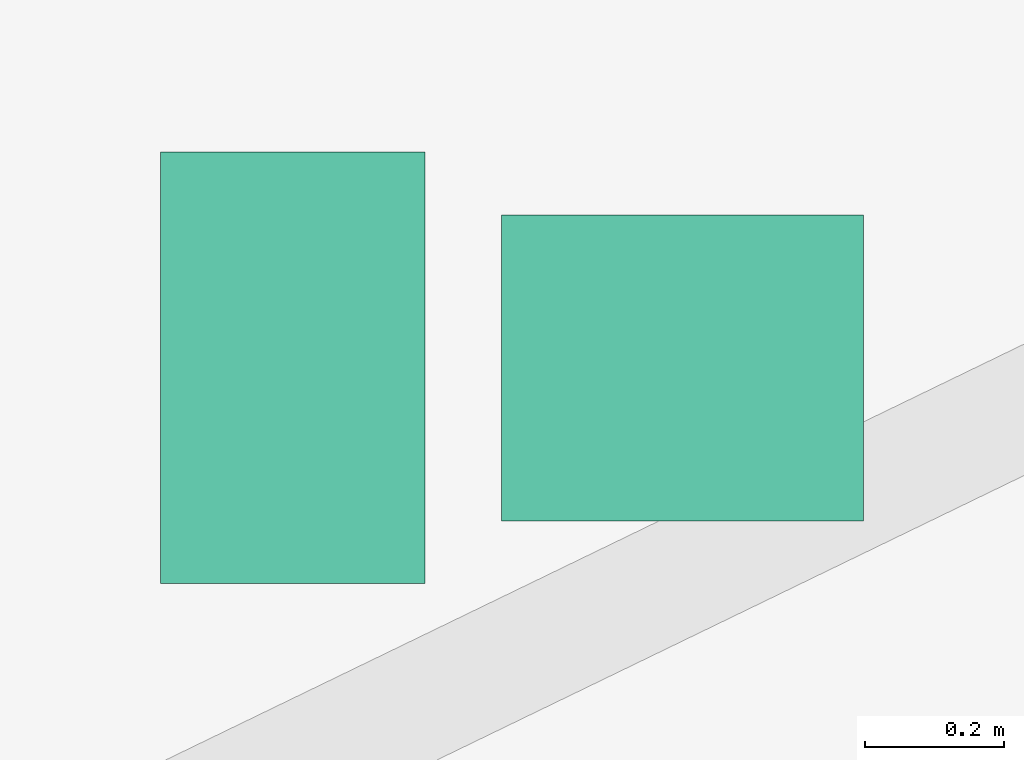
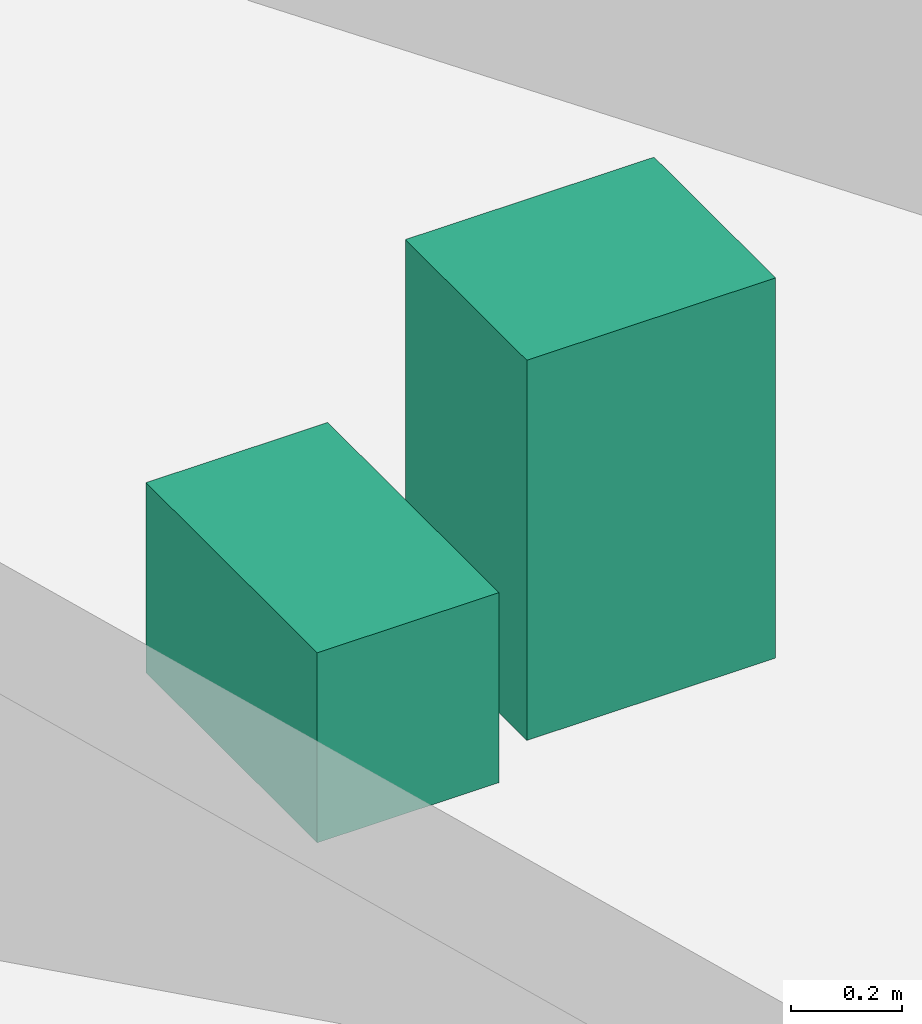
# One storey, part 11 of 11: 2 sanitary terminals.
"""IFC4 building model written with IfcOpenShell, lengths in metres."""

import ifcopenshell
import ifcopenshell.guid

model = None  # the IFC model being written
_history = None  # IfcOwnerHistory: only IFC2X3 demands one
_inside = {}  # id of a spatial element -> (the spatial element, [elements in it])
_under = {}  # id of a project, library or spatial element -> (it, [spatial elements below it])
_declared = {}  # id of a project -> (the project, [libraries it declares])
_typed = {}  # id of a type object -> (the type object, [elements of that type])
_made_of = {}  # id of a material, layer set ... -> (it, [elements and type objects made of it])


def new_model(schema):
    """Start an empty IFC model of exactly this schema.

    Asked for "IFC4X3", IfcOpenShell would pick the latest addendum, in which some entities
    have other attributes; the version numbers below select the first issue.
    IFC2X3 requires an IfcOwnerHistory on every rooted entity: one is made here for all.
    """
    global model, _history
    if schema == "IFC4X3":
        model = ifcopenshell.file(schema_version=(4, 3, 0, 0))
    else:
        model = ifcopenshell.file(schema=schema)
    _inside.clear()
    _under.clear()
    _declared.clear()
    _typed.clear()
    _made_of.clear()
    _history = None
    if model.schema == "IFC2X3":
        org = make("IfcOrganization", Name="unknown")
        user = make(
            "IfcPersonAndOrganization",
            ThePerson=make("IfcPerson", FamilyName="unknown"),
            TheOrganization=org,
        )
        app = make(
            "IfcApplication",
            ApplicationDeveloper=org,
            Version="unknown",
            ApplicationFullName="unknown",
            ApplicationIdentifier="unknown",
        )
        _history = make(
            "IfcOwnerHistory",
            OwningUser=user,
            OwningApplication=app,
            ChangeAction="ADDED",
            CreationDate=0,
        )
    return model


def make(cls, **values):
    """One entity of the class cls with the attributes given. An attribute that is None is left unset."""
    return model.create_entity(
        cls, **{name: value for name, value in values.items() if value is not None}
    )


def rooted(cls, **values):
    """An entity with a GlobalId (a new one), such as an element, a storey or a relation."""
    return make(cls, GlobalId=ifcopenshell.guid.new(), OwnerHistory=_history, **values)


def si_unit(unit_type, name, prefix=None):
    """IfcSIUnit, for example si_unit("LENGTHUNIT", "METRE", prefix="MILLI")."""
    return make("IfcSIUnit", UnitType=unit_type, Prefix=prefix, Name=name)


def assignment(units):
    """IfcUnitAssignment: the units of a project."""
    return None if units is None else make("IfcUnitAssignment", Units=units)


def point(xyz):
    """IfcCartesianPoint."""
    return None if xyz is None else make("IfcCartesianPoint", Coordinates=xyz)


def direction(xyz):
    """IfcDirection."""
    return None if xyz is None else make("IfcDirection", DirectionRatios=xyz)


def frame(location, z_axis=None, x_axis=None):
    """IfcAxis2Placement3D, a coordinate frame: its origin and axes. An axis left out is left unset."""
    return make(
        "IfcAxis2Placement3D",
        Location=point(location),
        Axis=direction(z_axis),
        RefDirection=direction(x_axis),
    )


def frame_2d(location, x_axis=None):
    """IfcAxis2Placement2D, a coordinate frame in the plane: its origin and x axis."""
    return make(
        "IfcAxis2Placement2D", Location=point(location), RefDirection=direction(x_axis)
    )


def origin():
    """The frame at (0, 0, 0) with its axes left unset."""
    return frame((0.0, 0.0, 0.0))


def origin_2d():
    """The frame at (0, 0) in the plane with its x axis left unset."""
    return frame_2d((0.0, 0.0))


def place(relative_to, where):
    """IfcLocalPlacement: puts the frame where relative to a parent placement (None: the world)."""
    return make(
        "IfcLocalPlacement", PlacementRelTo=relative_to, RelativePlacement=where
    )


def context(
    kind, dimensions, precision=None, world=None, true_north=None, identifier=None
):
    """IfcGeometricRepresentationContext, for example the 3D "Model" context."""
    return make(
        "IfcGeometricRepresentationContext",
        ContextIdentifier=identifier,
        ContextType=kind,
        CoordinateSpaceDimension=dimensions,
        Precision=precision,
        WorldCoordinateSystem=world,
        TrueNorth=true_north,
    )


def subcontext(parent, identifier, kind, view, scale=None):
    """IfcGeometricRepresentationSubContext, for example "Body" below "Model"."""
    return make(
        "IfcGeometricRepresentationSubContext",
        ContextIdentifier=identifier,
        ContextType=kind,
        ParentContext=parent,
        TargetScale=scale,
        TargetView=view,
    )


def project(units=None, contexts=None):
    """IfcProject with its units and contexts."""
    return rooted(
        "IfcProject",
        Name="project",
        RepresentationContexts=contexts,
        UnitsInContext=assignment(units),
    )


def spatial(cls, under=None, at=None, **own):
    """A site, building, storey or space (cls), placed at a placement, below another one or the project."""
    s = rooted(cls, ObjectPlacement=at, **own)
    if under is not None:
        _under.setdefault(under.id(), (under, []))[1].append(s)
    return s


def profile(cls, at=None, kind="AREA", **sizes):
    """A parametric profile (cls). Its sizes go by their IFC names, for example OverallWidth=200.0."""
    return make(cls, ProfileType=kind, Position=at, **sizes)


def rectangle(**sizes):
    """IfcRectangleProfileDef."""
    return profile("IfcRectangleProfileDef", **sizes)


def extrude(swept, where, along, depth):
    """IfcExtrudedAreaSolid: the profile swept, set in the frame where, extruded along a direction by depth."""
    return make(
        "IfcExtrudedAreaSolid",
        SweptArea=swept,
        Position=where,
        ExtrudedDirection=direction(along),
        Depth=depth,
    )


def shape(context_of_items, identifier, shape_type, items):
    """IfcShapeRepresentation: the items that make up one representation, for example the "Body"."""
    return make(
        "IfcShapeRepresentation",
        ContextOfItems=context_of_items,
        RepresentationIdentifier=identifier,
        RepresentationType=shape_type,
        Items=items,
    )


def source(mapping_origin, context_of_items, identifier, shape_type, items):
    """IfcRepresentationMap: a shape defined once, which mapped items show again and again."""
    return make(
        "IfcRepresentationMap",
        MappingOrigin=mapping_origin,
        MappedRepresentation=shape(context_of_items, identifier, shape_type, items),
    )


def transform(
    local_origin,
    x_axis=None,
    y_axis=None,
    z_axis=None,
    scale=None,
    scale2=None,
    scale3=None,
    uniform=True,
):
    """IfcCartesianTransformationOperator3D, or its non-uniform kind. x_axis, y_axis, z_axis: its Axis1, 2, 3."""
    if uniform:
        return make(
            "IfcCartesianTransformationOperator3D",
            Axis1=direction(x_axis),
            Axis2=direction(y_axis),
            LocalOrigin=point(local_origin),
            Scale=scale,
            Axis3=direction(z_axis),
        )
    return make(
        "IfcCartesianTransformationOperator3DnonUniform",
        Axis1=direction(x_axis),
        Axis2=direction(y_axis),
        LocalOrigin=point(local_origin),
        Scale=scale,
        Axis3=direction(z_axis),
        Scale2=scale2,
        Scale3=scale3,
    )


def mapped(mapping_source, mapping_target):
    """IfcMappedItem: shows the shape of a source again, moved by a transform."""
    return make(
        "IfcMappedItem", MappingSource=mapping_source, MappingTarget=mapping_target
    )


def material(Name=None, Category=None):
    """IfcMaterial."""
    return make("IfcMaterial", Name=Name, Category=Category)


def made_of(thing, what):
    """Note that an element or type object is made of a material, layer set ...; save() writes the relation."""
    if what is not None:
        _made_of.setdefault(what.id(), (what, []))[1].append(thing)
    return thing


def type_object(cls, material=None, **own):
    """A type object (cls), such as IfcWallType, which elements share."""
    return made_of(rooted(cls, **own), material)


def element(
    cls,
    number,
    at=None,
    inside=None,
    cuts=None,
    type_object=None,
    material=None,
    context=None,
    identifier="Body",
    shape_type=None,
    held_by="IfcProductDefinitionShape",
    body=None,
    shapes=None,
    **own,
):
    """One element of the class cls, such as IfcWall. Its Tag is "e" and its number.

    at: its placement. inside: the storey or other place that contains it. cuts: it is an
    opening in that element (IfcRelVoidsElement). A single representation is given by context,
    identifier, shape_type and body (its items); several are given by shapes. held_by: the class
    of the entity that holds the representations. save() writes the other relations.
    """
    e = rooted(cls, Tag="e%d" % number, ObjectPlacement=at, **own)
    if body is not None:
        shapes = [shape(context, identifier, shape_type, body)]
    if shapes is not None:
        e.Representation = make(held_by, Representations=shapes)
    if inside is not None:
        _inside.setdefault(inside.id(), (inside, []))[1].append(e)
    if cuts is not None:
        rooted(
            "IfcRelVoidsElement", RelatingBuildingElement=cuts, RelatedOpeningElement=e
        )
    if type_object is not None:
        _typed.setdefault(type_object.id(), (type_object, []))[1].append(e)
    return made_of(e, material)


def aggregate(whole, parts):
    """IfcRelAggregates: a whole, such as a stair, and the parts it consists of."""
    return rooted("IfcRelAggregates", RelatingObject=whole, RelatedObjects=parts)


def save(model, path):
    """Write the relations noted so far, then the file.

    IfcRelAggregates (storeys below a building ...), IfcRelContainedInSpatialStructure (elements
    in a storey), IfcRelDefinesByType, IfcRelAssociatesMaterial and IfcRelDeclares: one each for
    every whole, place, type object, material and project.
    """
    for whole, parts in _under.values():
        aggregate(whole, parts)
    for where, things in _inside.values():
        rooted(
            "IfcRelContainedInSpatialStructure",
            RelatedElements=things,
            RelatingStructure=where,
        )
    for kind, things in _typed.values():
        rooted("IfcRelDefinesByType", RelatedObjects=things, RelatingType=kind)
    for what, things in _made_of.values():
        rooted("IfcRelAssociatesMaterial", RelatedObjects=things, RelatingMaterial=what)
    for by, libraries in _declared.values():
        rooted("IfcRelDeclares", RelatingContext=by, RelatedDefinitions=libraries)
    model.write(path)


model = new_model("IFC4")

# Units and contexts
model_context = context("Model", 3, precision=1e-05, world=origin(), true_north=direction((0.0, 1.0)))
body_context = subcontext(model_context, "Body", "Model", "MODEL_VIEW")
ifc_project = project(units=[si_unit("LENGTHUNIT", "METRE"), si_unit("AREAUNIT", "SQUARE_METRE"), si_unit("VOLUMEUNIT", "CUBIC_METRE"), si_unit("PLANEANGLEUNIT", "RADIAN"), si_unit("MASSUNIT", "GRAM", prefix="KILO")], contexts=[model_context])

# Site, building, storey
site_placement = place(None, origin())
site = spatial("IfcSite", under=ifc_project, at=site_placement, CompositionType="ELEMENT")
building_placement = place(site_placement, origin())
building = spatial("IfcBuilding", under=site, at=building_placement, Name="Qafzar Sky-Pleat Residences", CompositionType="ELEMENT")
storey_placement = place(building_placement, frame((0.0, 0.0, 168.199951171875)))
storey = spatial("IfcBuildingStorey", under=building, at=storey_placement, Name="L50", CompositionType="ELEMENT", Elevation=168.199951171875)

# Sanitary terminals
ifc_material = material(Name="Vitreous china sanitaryware")
sanitary_terminal_type_1 = type_object("IfcSanitaryTerminalType", Name="SAN-WC-PAN", PredefinedType="TOILETPAN", material=ifc_material)
shared_shape_1 = source(origin(), body_context, "Body", "SweptSolid", [
    extrude(rectangle(XDim=0.3798828125, YDim=0.6201171875, at=origin_2d()), origin(), (0.0, 0.0, 1.0), 0.419921875),
])
sanitary_terminal_1_placement = place(storey_placement, frame((21.185302734375, 37.389892578125, 0.0), z_axis=(0.0, 0.0, 1.0), x_axis=(1.0, 0.0, 0.0)))
element("IfcSanitaryTerminal", 1, at=sanitary_terminal_1_placement, inside=storey, type_object=sanitary_terminal_type_1, Name="L50 Accessible Shared Washroom WC Pan", PredefinedType="TOILETPAN", context=body_context, shape_type="MappedRepresentation", body=[
    mapped(shared_shape_1, transform((0.0, 0.0, 0.0), x_axis=(1.0, 0.0, 0.0), y_axis=(0.0, 1.0, 0.0), z_axis=(0.0, 0.0, 1.0), scale=1.0)),
])
sanitary_terminal_type_2 = type_object("IfcSanitaryTerminalType", Name="SAN-BASIN", PredefinedType="WASHHANDBASIN", material=ifc_material)
shared_shape_2 = source(origin(), body_context, "Body", "SweptSolid", [
    extrude(rectangle(XDim=0.52001953125, YDim=0.43994140625, at=origin_2d()), origin(), (0.0, 0.0, 1.0), 0.840087890625),
])
sanitary_terminal_2_placement = place(storey_placement, frame((21.745361328125, 37.389892578125, 0.0), z_axis=(0.0, 0.0, 1.0), x_axis=(1.0, 0.0, 0.0)))
element("IfcSanitaryTerminal", 2, at=sanitary_terminal_2_placement, inside=storey, type_object=sanitary_terminal_type_2, Name="L50 Accessible Shared Washroom Pedestal Washbasin", PredefinedType="WASHHANDBASIN", context=body_context, shape_type="MappedRepresentation", body=[
    mapped(shared_shape_2, transform((0.0, 0.0, 0.0), x_axis=(1.0, 0.0, 0.0), y_axis=(0.0, 1.0, 0.0), z_axis=(0.0, 0.0, 1.0), scale=1.0)),
])

save(model, "model.ifc")
